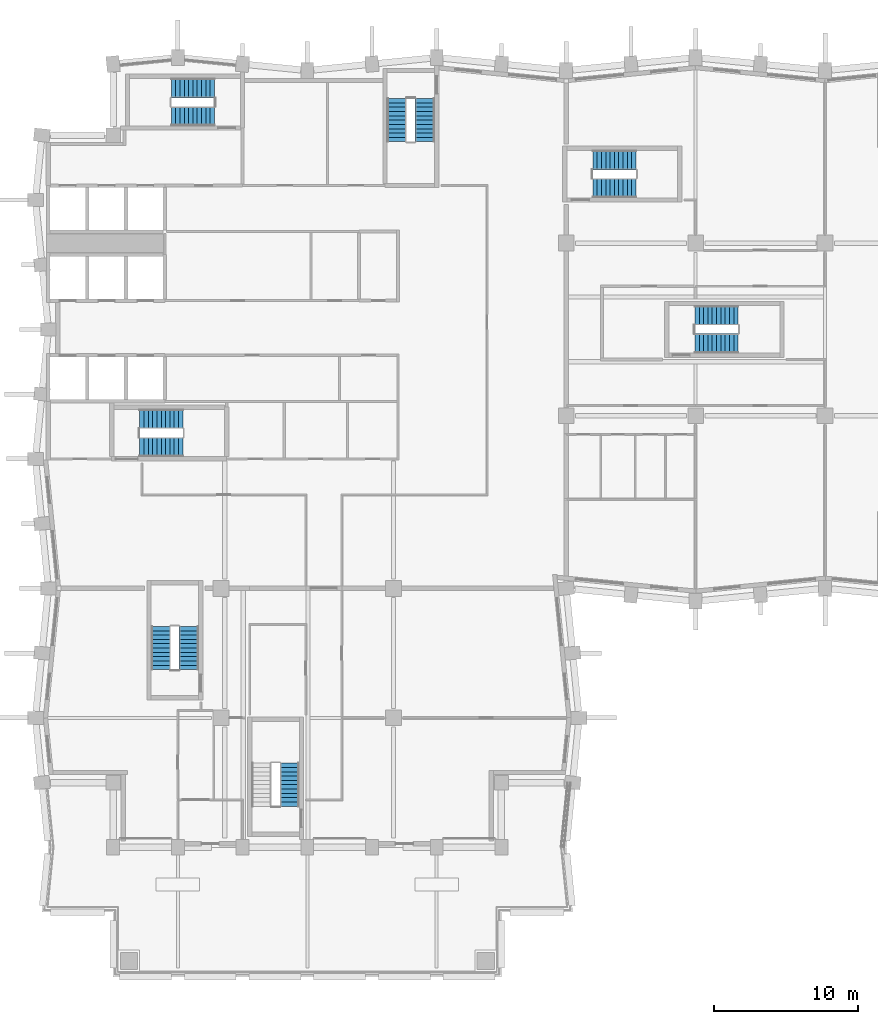
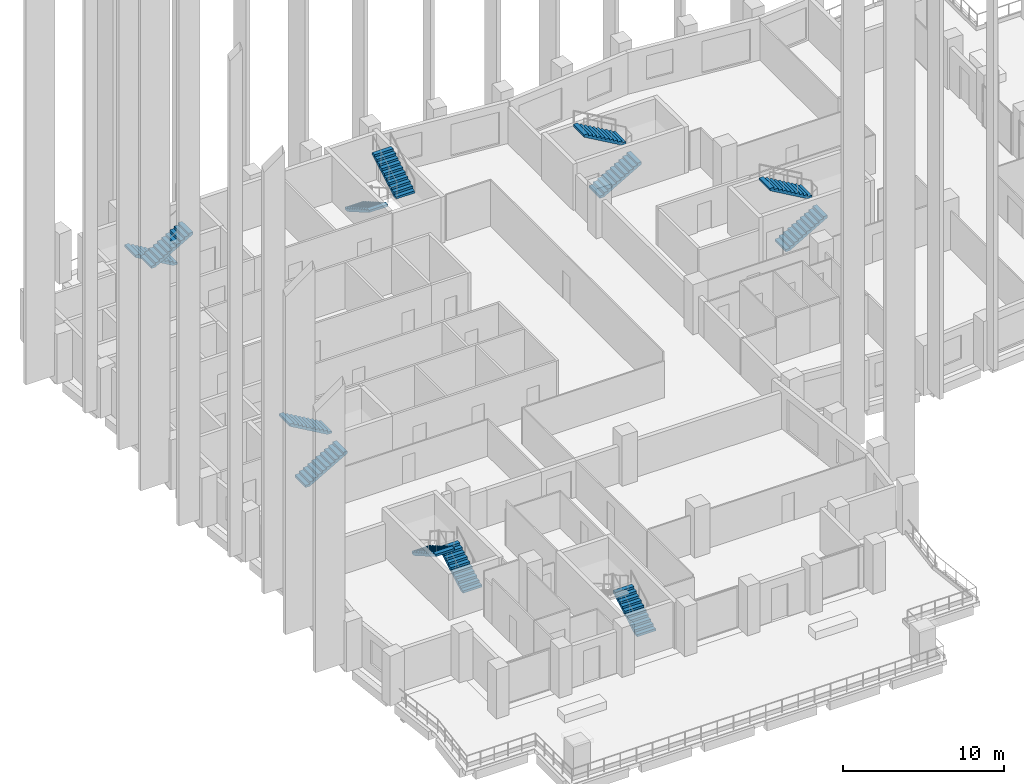
# One storey, part 15 of 18: 13 stair flights, 7 elements without a shape of their own.
"""IFC4 building model written with IfcOpenShell, lengths in metres."""

from ifc_helpers import new_model, si_unit, direction, frame, origin, place, context, subcontext, project, spatial, polyline, outline, extrude, material, type_object, element, aggregate, save


model = new_model("IFC4")

# Units and contexts
model_context = context("Model", 3, precision=1e-05, world=origin(), true_north=direction((0.0, 1.0)))
body_context = subcontext(model_context, "Body", "Model", "MODEL_VIEW")
ifc_project = project(units=[si_unit("LENGTHUNIT", "METRE"), si_unit("AREAUNIT", "SQUARE_METRE"), si_unit("VOLUMEUNIT", "CUBIC_METRE"), si_unit("PLANEANGLEUNIT", "RADIAN"), si_unit("MASSUNIT", "GRAM", prefix="KILO")], contexts=[model_context])

# Site, building, storey
site_placement = place(None, origin())
site = spatial("IfcSite", under=ifc_project, at=site_placement, CompositionType="ELEMENT")
building_placement = place(site_placement, origin())
building = spatial("IfcBuilding", under=site, at=building_placement, Name="Brondeck Convention Tower", CompositionType="ELEMENT")
storey_placement = place(building_placement, frame((0.0, 0.0, 143.39990234375)))
storey = spatial("IfcBuildingStorey", under=building, at=storey_placement, Name="L34", CompositionType="ELEMENT", Elevation=143.39990234375)

# Stair, stair flights
ifc_material = material(Name="Precast concrete C50/60", Category="concrete")
stair_type = type_object("IfcStairType", Name="Core stair 22 risers 172.73 mm riser 300 mm going 1350 wide", PredefinedType="HALF_TURN_STAIR", material=ifc_material)
stair_1_placement = place(storey_placement, origin())
stair_1 = element("IfcStair", 1, at=stair_1_placement, inside=storey, type_object=stair_type, Name="ST-1 L34 stair", PredefinedType="HALF_TURN_STAIR")
stair_flight_type = type_object("IfcStairFlightType", Name="Core stair flight 22 risers 172.73 mm riser 300 mm going 1350 wide", PredefinedType="STRAIGHT", material=ifc_material)
stair_flight_1_placement = place(storey_placement, frame((6.35009765625, 36.824951171875, 0.0), z_axis=(0.0, 0.0, 1.0), x_axis=(1.0, 0.0, 0.0)))
stair_flight_1 = element("IfcStairFlight", 2, at=stair_flight_1_placement, type_object=stair_flight_type, Name="ST-1 flight 1", NumberOfRisers=11, NumberOfTreads=10, PredefinedType="STRAIGHT", RiserHeight=0.172727273, TreadLength=0.3, context=body_context, shape_type="SweptSolid", body=[
    extrude(outline(polyline([(0.0, 0.0), (0.0, 0.172607421875), (0.300048828125, 0.172607421875), (0.300048828125, 0.345458984375), (0.60009765625, 0.345458984375), (0.60009765625, 0.51806640625), (0.89990234375, 0.51806640625), (0.89990234375, 0.69091796875), (1.199951171875, 0.69091796875), (1.199951171875, 0.863525390625), (1.5, 0.863525390625), (1.5, 1.036376953125), (1.800048828125, 1.036376953125), (1.800048828125, 1.208984375), (2.10009765625, 1.208984375), (2.10009765625, 1.3818359375), (2.39990234375, 1.3818359375), (2.39990234375, 1.554443359375), (2.699951171875, 1.554443359375), (2.699951171875, 1.727294921875), (3.0, 1.727294921875), (3.0, 1.89990234375), (3.0, 1.55419921875), (0.300537109375, 0.0), (0.0, 0.0)])), frame((0.0, 0.675048828125, 0.0), z_axis=(0.0, -1.0, 0.0), x_axis=(1.0, 0.0, 0.0)), (0.0, 0.0, 1.0), 1.35009765625),
])
stair_flight_2_placement = place(storey_placement, frame((9.35009765625, 38.77490234375, 1.900146484375), z_axis=(0.0, 0.0, 1.0), x_axis=(-1.0, 0.0, 0.0)))
stair_flight_2 = element("IfcStairFlight", 3, at=stair_flight_2_placement, type_object=stair_flight_type, Name="ST-1 flight 2", NumberOfRisers=11, NumberOfTreads=10, PredefinedType="STRAIGHT", RiserHeight=0.172727273, TreadLength=0.3, context=body_context, shape_type="SweptSolid", body=[
    extrude(outline(polyline([(0.0, 0.0), (0.0, 0.172607421875), (0.300048828125, 0.172607421875), (0.300048828125, 0.345458984375), (0.60009765625, 0.345458984375), (0.60009765625, 0.51806640625), (0.89990234375, 0.51806640625), (0.89990234375, 0.69091796875), (1.199951171875, 0.69091796875), (1.199951171875, 0.863525390625), (1.5, 0.863525390625), (1.5, 1.036376953125), (1.800048828125, 1.036376953125), (1.800048828125, 1.208984375), (2.10009765625, 1.208984375), (2.10009765625, 1.3818359375), (2.39990234375, 1.3818359375), (2.39990234375, 1.554443359375), (2.699951171875, 1.554443359375), (2.699951171875, 1.727294921875), (3.0, 1.727294921875), (3.0, 1.89990234375), (3.0, 1.55419921875), (0.300537109375, 0.0), (0.0, 0.0)])), frame((0.0, 0.675048828125, 0.0), z_axis=(0.0, -1.0, 0.0), x_axis=(1.0, 0.0, 0.0)), (0.0, 0.0, 1.0), 1.35009765625),
])
aggregate(stair_1, [stair_flight_1, stair_flight_2])

stair_2_placement = place(storey_placement, origin())
stair_2 = element("IfcStair", 4, at=stair_2_placement, inside=storey, type_object=stair_type, Name="ST-2 L34 stair", PredefinedType="HALF_TURN_STAIR")
stair_flight_3_placement = place(storey_placement, frame((24.22509765625, 61.050048828125, 0.0), z_axis=(0.0, 0.0, 1.0), x_axis=(0.0, -1.0, 0.0)))
stair_flight_3 = element("IfcStairFlight", 5, at=stair_flight_3_placement, type_object=stair_flight_type, Name="ST-2 flight 1", NumberOfRisers=11, NumberOfTreads=10, PredefinedType="STRAIGHT", RiserHeight=0.172727273, TreadLength=0.3, context=body_context, shape_type="SweptSolid", body=[
    extrude(outline(polyline([(0.0, 0.0), (0.0, 0.172607421875), (0.300048828125, 0.172607421875), (0.300048828125, 0.345458984375), (0.60009765625, 0.345458984375), (0.60009765625, 0.51806640625), (0.89990234375, 0.51806640625), (0.89990234375, 0.69091796875), (1.199951171875, 0.69091796875), (1.199951171875, 0.863525390625), (1.5, 0.863525390625), (1.5, 1.036376953125), (1.800048828125, 1.036376953125), (1.800048828125, 1.208984375), (2.10009765625, 1.208984375), (2.10009765625, 1.3818359375), (2.39990234375, 1.3818359375), (2.39990234375, 1.554443359375), (2.699951171875, 1.554443359375), (2.699951171875, 1.727294921875), (3.0, 1.727294921875), (3.0, 1.89990234375), (3.0, 1.55419921875), (0.300537109375, 0.0), (0.0, 0.0)])), frame((0.0, 0.675048828125, 0.0), z_axis=(0.0, -1.0, 0.0), x_axis=(1.0, 0.0, 0.0)), (0.0, 0.0, 1.0), 1.35009765625),
])
stair_flight_4_placement = place(storey_placement, frame((26.175048828125, 58.050048828125, 1.900146484375), z_axis=(0.0, 0.0, 1.0), x_axis=(0.0, 1.0, 0.0)))
stair_flight_4 = element("IfcStairFlight", 6, at=stair_flight_4_placement, type_object=stair_flight_type, Name="ST-2 flight 2", NumberOfRisers=11, NumberOfTreads=10, PredefinedType="STRAIGHT", RiserHeight=0.172727273, TreadLength=0.3, context=body_context, shape_type="SweptSolid", body=[
    extrude(outline(polyline([(0.0, 0.0), (0.0, 0.172607421875), (0.300048828125, 0.172607421875), (0.300048828125, 0.345458984375), (0.60009765625, 0.345458984375), (0.60009765625, 0.51806640625), (0.89990234375, 0.51806640625), (0.89990234375, 0.69091796875), (1.199951171875, 0.69091796875), (1.199951171875, 0.863525390625), (1.5, 0.863525390625), (1.5, 1.036376953125), (1.800048828125, 1.036376953125), (1.800048828125, 1.208984375), (2.10009765625, 1.208984375), (2.10009765625, 1.3818359375), (2.39990234375, 1.3818359375), (2.39990234375, 1.554443359375), (2.699951171875, 1.554443359375), (2.699951171875, 1.727294921875), (3.0, 1.727294921875), (3.0, 1.89990234375), (3.0, 1.55419921875), (0.300537109375, 0.0), (0.0, 0.0)])), frame((0.0, 0.675048828125, 0.0), z_axis=(0.0, -1.0, 0.0), x_axis=(1.0, 0.0, 0.0)), (0.0, 0.0, 1.0), 1.35009765625),
])
aggregate(stair_2, [stair_flight_3, stair_flight_4])

stair_3_placement = place(storey_placement, origin())
stair_3 = element("IfcStair", 7, at=stair_3_placement, inside=storey, type_object=stair_type, Name="ST-3 L34 stair", PredefinedType="HALF_TURN_STAIR")
stair_flight_5_placement = place(storey_placement, frame((11.550048828125, 61.77490234375, 0.0), z_axis=(0.0, 0.0, 1.0), x_axis=(-1.0, 0.0, 0.0)))
stair_flight_5 = element("IfcStairFlight", 8, at=stair_flight_5_placement, type_object=stair_flight_type, Name="ST-3 flight 1", NumberOfRisers=11, NumberOfTreads=10, PredefinedType="STRAIGHT", RiserHeight=0.172727273, TreadLength=0.3, context=body_context, shape_type="SweptSolid", body=[
    extrude(outline(polyline([(0.0, 0.0), (0.0, 0.172607421875), (0.300048828125, 0.172607421875), (0.300048828125, 0.345458984375), (0.60009765625, 0.345458984375), (0.60009765625, 0.51806640625), (0.89990234375, 0.51806640625), (0.89990234375, 0.69091796875), (1.199951171875, 0.69091796875), (1.199951171875, 0.863525390625), (1.5, 0.863525390625), (1.5, 1.036376953125), (1.800048828125, 1.036376953125), (1.800048828125, 1.208984375), (2.10009765625, 1.208984375), (2.10009765625, 1.3818359375), (2.39990234375, 1.3818359375), (2.39990234375, 1.554443359375), (2.699951171875, 1.554443359375), (2.699951171875, 1.727294921875), (3.0, 1.727294921875), (3.0, 1.89990234375), (3.0, 1.55419921875), (0.300537109375, 0.0), (0.0, 0.0)])), frame((0.0, 0.675048828125, 0.0), z_axis=(0.0, -1.0, 0.0), x_axis=(1.0, 0.0, 0.0)), (0.0, 0.0, 1.0), 1.35009765625),
])
stair_flight_6_placement = place(storey_placement, frame((8.550048828125, 59.824951171875, 1.900146484375), z_axis=(0.0, 0.0, 1.0), x_axis=(1.0, 0.0, 0.0)))
stair_flight_6 = element("IfcStairFlight", 9, at=stair_flight_6_placement, type_object=stair_flight_type, Name="ST-3 flight 2", NumberOfRisers=11, NumberOfTreads=10, PredefinedType="STRAIGHT", RiserHeight=0.172727273, TreadLength=0.3, context=body_context, shape_type="SweptSolid", body=[
    extrude(outline(polyline([(0.0, 0.0), (0.0, 0.172607421875), (0.300048828125, 0.172607421875), (0.300048828125, 0.345458984375), (0.60009765625, 0.345458984375), (0.60009765625, 0.51806640625), (0.89990234375, 0.51806640625), (0.89990234375, 0.69091796875), (1.199951171875, 0.69091796875), (1.199951171875, 0.863525390625), (1.5, 0.863525390625), (1.5, 1.036376953125), (1.800048828125, 1.036376953125), (1.800048828125, 1.208984375), (2.10009765625, 1.208984375), (2.10009765625, 1.3818359375), (2.39990234375, 1.3818359375), (2.39990234375, 1.554443359375), (2.699951171875, 1.554443359375), (2.699951171875, 1.727294921875), (3.0, 1.727294921875), (3.0, 1.89990234375), (3.0, 1.55419921875), (0.300537109375, 0.0), (0.0, 0.0)])), frame((0.0, 0.675048828125, 0.0), z_axis=(0.0, -1.0, 0.0), x_axis=(1.0, 0.0, 0.0)), (0.0, 0.0, 1.0), 1.35009765625),
])
aggregate(stair_3, [stair_flight_5, stair_flight_6])

stair_4_placement = place(storey_placement, origin())
stair_4 = element("IfcStair", 10, at=stair_4_placement, inside=storey, type_object=stair_type, Name="ST-AE L34 stair", PredefinedType="HALF_TURN_STAIR")
stair_flight_7_placement = place(storey_placement, frame((37.85009765625, 54.824951171875, 0.0), z_axis=(0.0, 0.0, 1.0), x_axis=(1.0, 0.0, 0.0)))
stair_flight_7 = element("IfcStairFlight", 11, at=stair_flight_7_placement, type_object=stair_flight_type, Name="ST-AE flight 1", NumberOfRisers=11, NumberOfTreads=10, PredefinedType="STRAIGHT", RiserHeight=0.172727273, TreadLength=0.3, context=body_context, shape_type="SweptSolid", body=[
    extrude(outline(polyline([(0.0, 0.0), (0.0, 0.172607421875), (0.300048828125, 0.172607421875), (0.300048828125, 0.345458984375), (0.60009765625, 0.345458984375), (0.60009765625, 0.51806640625), (0.89990234375, 0.51806640625), (0.89990234375, 0.69091796875), (1.199951171875, 0.69091796875), (1.199951171875, 0.863525390625), (1.5, 0.863525390625), (1.5, 1.036376953125), (1.800048828125, 1.036376953125), (1.800048828125, 1.208984375), (2.10009765625, 1.208984375), (2.10009765625, 1.3818359375), (2.39990234375, 1.3818359375), (2.39990234375, 1.554443359375), (2.699951171875, 1.554443359375), (2.699951171875, 1.727294921875), (3.0, 1.727294921875), (3.0, 1.89990234375), (3.0, 1.55419921875), (0.300537109375, 0.0), (0.0, 0.0)])), frame((0.0, 0.675048828125, 0.0), z_axis=(0.0, -1.0, 0.0), x_axis=(1.0, 0.0, 0.0)), (0.0, 0.0, 1.0), 1.35009765625),
])
stair_flight_8_placement = place(storey_placement, frame((40.85009765625, 56.77490234375, 1.900146484375), z_axis=(0.0, 0.0, 1.0), x_axis=(-1.0, 0.0, 0.0)))
stair_flight_8 = element("IfcStairFlight", 12, at=stair_flight_8_placement, type_object=stair_flight_type, Name="ST-AE flight 2", NumberOfRisers=11, NumberOfTreads=10, PredefinedType="STRAIGHT", RiserHeight=0.172727273, TreadLength=0.3, context=body_context, shape_type="SweptSolid", body=[
    extrude(outline(polyline([(0.0, 0.0), (0.0, 0.172607421875), (0.300048828125, 0.172607421875), (0.300048828125, 0.345458984375), (0.60009765625, 0.345458984375), (0.60009765625, 0.51806640625), (0.89990234375, 0.51806640625), (0.89990234375, 0.69091796875), (1.199951171875, 0.69091796875), (1.199951171875, 0.863525390625), (1.5, 0.863525390625), (1.5, 1.036376953125), (1.800048828125, 1.036376953125), (1.800048828125, 1.208984375), (2.10009765625, 1.208984375), (2.10009765625, 1.3818359375), (2.39990234375, 1.3818359375), (2.39990234375, 1.554443359375), (2.699951171875, 1.554443359375), (2.699951171875, 1.727294921875), (3.0, 1.727294921875), (3.0, 1.89990234375), (3.0, 1.55419921875), (0.300537109375, 0.0), (0.0, 0.0)])), frame((0.0, 0.675048828125, 0.0), z_axis=(0.0, -1.0, 0.0), x_axis=(1.0, 0.0, 0.0)), (0.0, 0.0, 1.0), 1.35009765625),
])
aggregate(stair_4, [stair_flight_7, stair_flight_8])

stair_5_placement = place(storey_placement, origin())
stair_5 = element("IfcStair", 13, at=stair_5_placement, inside=storey, type_object=stair_type, Name="ST-BE L34 stair", PredefinedType="HALF_TURN_STAIR")
stair_flight_9_placement = place(storey_placement, frame((9.77490234375, 21.35009765625, 0.0), z_axis=(0.0, 0.0, 1.0), x_axis=(0.0, 1.0, 0.0)))
stair_flight_9 = element("IfcStairFlight", 14, at=stair_flight_9_placement, type_object=stair_flight_type, Name="ST-BE flight 1", NumberOfRisers=11, NumberOfTreads=10, PredefinedType="STRAIGHT", RiserHeight=0.172727273, TreadLength=0.3, context=body_context, shape_type="SweptSolid", body=[
    extrude(outline(polyline([(0.0, 0.0), (0.0, 0.172607421875), (0.300048828125, 0.172607421875), (0.300048828125, 0.345458984375), (0.60009765625, 0.345458984375), (0.60009765625, 0.51806640625), (0.89990234375, 0.51806640625), (0.89990234375, 0.69091796875), (1.199951171875, 0.69091796875), (1.199951171875, 0.863525390625), (1.5, 0.863525390625), (1.5, 1.036376953125), (1.800048828125, 1.036376953125), (1.800048828125, 1.208984375), (2.10009765625, 1.208984375), (2.10009765625, 1.3818359375), (2.39990234375, 1.3818359375), (2.39990234375, 1.554443359375), (2.699951171875, 1.554443359375), (2.699951171875, 1.727294921875), (3.0, 1.727294921875), (3.0, 1.89990234375), (3.0, 1.55419921875), (0.300537109375, 0.0), (0.0, 0.0)])), frame((0.0, 0.675048828125, 0.0), z_axis=(0.0, -1.0, 0.0), x_axis=(1.0, 0.0, 0.0)), (0.0, 0.0, 1.0), 1.35009765625),
])
stair_flight_10_placement = place(storey_placement, frame((7.824951171875, 24.35009765625, 1.900146484375), z_axis=(0.0, 0.0, 1.0), x_axis=(0.0, -1.0, 0.0)))
stair_flight_10 = element("IfcStairFlight", 15, at=stair_flight_10_placement, type_object=stair_flight_type, Name="ST-BE flight 2", NumberOfRisers=11, NumberOfTreads=10, PredefinedType="STRAIGHT", RiserHeight=0.172727273, TreadLength=0.3, context=body_context, shape_type="SweptSolid", body=[
    extrude(outline(polyline([(0.0, 0.0), (0.0, 0.172607421875), (0.300048828125, 0.172607421875), (0.300048828125, 0.345458984375), (0.60009765625, 0.345458984375), (0.60009765625, 0.51806640625), (0.89990234375, 0.51806640625), (0.89990234375, 0.69091796875), (1.199951171875, 0.69091796875), (1.199951171875, 0.863525390625), (1.5, 0.863525390625), (1.5, 1.036376953125), (1.800048828125, 1.036376953125), (1.800048828125, 1.208984375), (2.10009765625, 1.208984375), (2.10009765625, 1.3818359375), (2.39990234375, 1.3818359375), (2.39990234375, 1.554443359375), (2.699951171875, 1.554443359375), (2.699951171875, 1.727294921875), (3.0, 1.727294921875), (3.0, 1.89990234375), (3.0, 1.55419921875), (0.300537109375, 0.0), (0.0, 0.0)])), frame((0.0, 0.675048828125, 0.0), z_axis=(0.0, -1.0, 0.0), x_axis=(1.0, 0.0, 0.0)), (0.0, 0.0, 1.0), 1.35009765625),
])
aggregate(stair_5, [stair_flight_9, stair_flight_10])

stair_6_placement = place(storey_placement, origin())
stair_6 = element("IfcStair", 16, at=stair_6_placement, inside=storey, type_object=stair_type, Name="ST-AF L34 stair", PredefinedType="HALF_TURN_STAIR")
stair_flight_11_placement = place(storey_placement, frame((44.949951171875, 44.02490234375, 0.0), z_axis=(0.0, 0.0, 1.0), x_axis=(1.0, 0.0, 0.0)))
stair_flight_11 = element("IfcStairFlight", 17, at=stair_flight_11_placement, type_object=stair_flight_type, Name="ST-AF flight 1", NumberOfRisers=11, NumberOfTreads=10, PredefinedType="STRAIGHT", RiserHeight=0.172727273, TreadLength=0.3, context=body_context, shape_type="SweptSolid", body=[
    extrude(outline(polyline([(0.0, 0.0), (0.0, 0.172607421875), (0.300048828125, 0.172607421875), (0.300048828125, 0.345458984375), (0.60009765625, 0.345458984375), (0.60009765625, 0.51806640625), (0.89990234375, 0.51806640625), (0.89990234375, 0.69091796875), (1.199951171875, 0.69091796875), (1.199951171875, 0.863525390625), (1.5, 0.863525390625), (1.5, 1.036376953125), (1.800048828125, 1.036376953125), (1.800048828125, 1.208984375), (2.10009765625, 1.208984375), (2.10009765625, 1.3818359375), (2.39990234375, 1.3818359375), (2.39990234375, 1.554443359375), (2.699951171875, 1.554443359375), (2.699951171875, 1.727294921875), (3.0, 1.727294921875), (3.0, 1.89990234375), (3.0, 1.55419921875), (0.300537109375, 0.0), (0.0, 0.0)])), frame((0.0, 0.675048828125, 0.0), z_axis=(0.0, -1.0, 0.0), x_axis=(1.0, 0.0, 0.0)), (0.0, 0.0, 1.0), 1.35009765625),
])
stair_flight_12_placement = place(storey_placement, frame((47.949951171875, 45.97509765625, 1.900146484375), z_axis=(0.0, 0.0, 1.0), x_axis=(-1.0, 0.0, 0.0)))
stair_flight_12 = element("IfcStairFlight", 18, at=stair_flight_12_placement, type_object=stair_flight_type, Name="ST-AF flight 2", NumberOfRisers=11, NumberOfTreads=10, PredefinedType="STRAIGHT", RiserHeight=0.172727273, TreadLength=0.3, context=body_context, shape_type="SweptSolid", body=[
    extrude(outline(polyline([(0.0, 0.0), (0.0, 0.172607421875), (0.300048828125, 0.172607421875), (0.300048828125, 0.345458984375), (0.60009765625, 0.345458984375), (0.60009765625, 0.51806640625), (0.89990234375, 0.51806640625), (0.89990234375, 0.69091796875), (1.199951171875, 0.69091796875), (1.199951171875, 0.863525390625), (1.5, 0.863525390625), (1.5, 1.036376953125), (1.800048828125, 1.036376953125), (1.800048828125, 1.208984375), (2.10009765625, 1.208984375), (2.10009765625, 1.3818359375), (2.39990234375, 1.3818359375), (2.39990234375, 1.554443359375), (2.699951171875, 1.554443359375), (2.699951171875, 1.727294921875), (3.0, 1.727294921875), (3.0, 1.89990234375), (3.0, 1.55419921875), (0.300537109375, 0.0), (0.0, 0.0)])), frame((0.0, 0.675048828125, 0.0), z_axis=(0.0, -1.0, 0.0), x_axis=(1.0, 0.0, 0.0)), (0.0, 0.0, 1.0), 1.35009765625),
])
aggregate(stair_6, [stair_flight_11, stair_flight_12])

# Stair, stair flight
stair_7_placement = place(storey_placement, origin())
stair_7 = element("IfcStair", 19, at=stair_7_placement, inside=storey, type_object=stair_type, Name="ST-BF L34 stair", PredefinedType="HALF_TURN_STAIR")
stair_flight_13_placement = place(storey_placement, frame((16.77490234375, 11.85009765625, 0.0), z_axis=(0.0, 0.0, 1.0), x_axis=(0.0, 1.0, 0.0)))
stair_flight_13 = element("IfcStairFlight", 20, at=stair_flight_13_placement, type_object=stair_flight_type, Name="ST-BF flight 1", NumberOfRisers=11, NumberOfTreads=10, PredefinedType="STRAIGHT", RiserHeight=0.172727273, TreadLength=0.3, context=body_context, shape_type="SweptSolid", body=[
    extrude(outline(polyline([(0.0, 0.0), (0.0, 0.172607421875), (0.300048828125, 0.172607421875), (0.300048828125, 0.345458984375), (0.60009765625, 0.345458984375), (0.60009765625, 0.51806640625), (0.89990234375, 0.51806640625), (0.89990234375, 0.69091796875), (1.199951171875, 0.69091796875), (1.199951171875, 0.863525390625), (1.5, 0.863525390625), (1.5, 1.036376953125), (1.800048828125, 1.036376953125), (1.800048828125, 1.208984375), (2.10009765625, 1.208984375), (2.10009765625, 1.3818359375), (2.39990234375, 1.3818359375), (2.39990234375, 1.554443359375), (2.699951171875, 1.554443359375), (2.699951171875, 1.727294921875), (3.0, 1.727294921875), (3.0, 1.89990234375), (3.0, 1.55419921875), (0.300537109375, 0.0), (0.0, 0.0)])), frame((0.0, 0.675048828125, 0.0), z_axis=(0.0, -1.0, 0.0), x_axis=(1.0, 0.0, 0.0)), (0.0, 0.0, 1.0), 1.35009765625),
])
aggregate(stair_7, [stair_flight_13])

save(model, "model.ifc")
